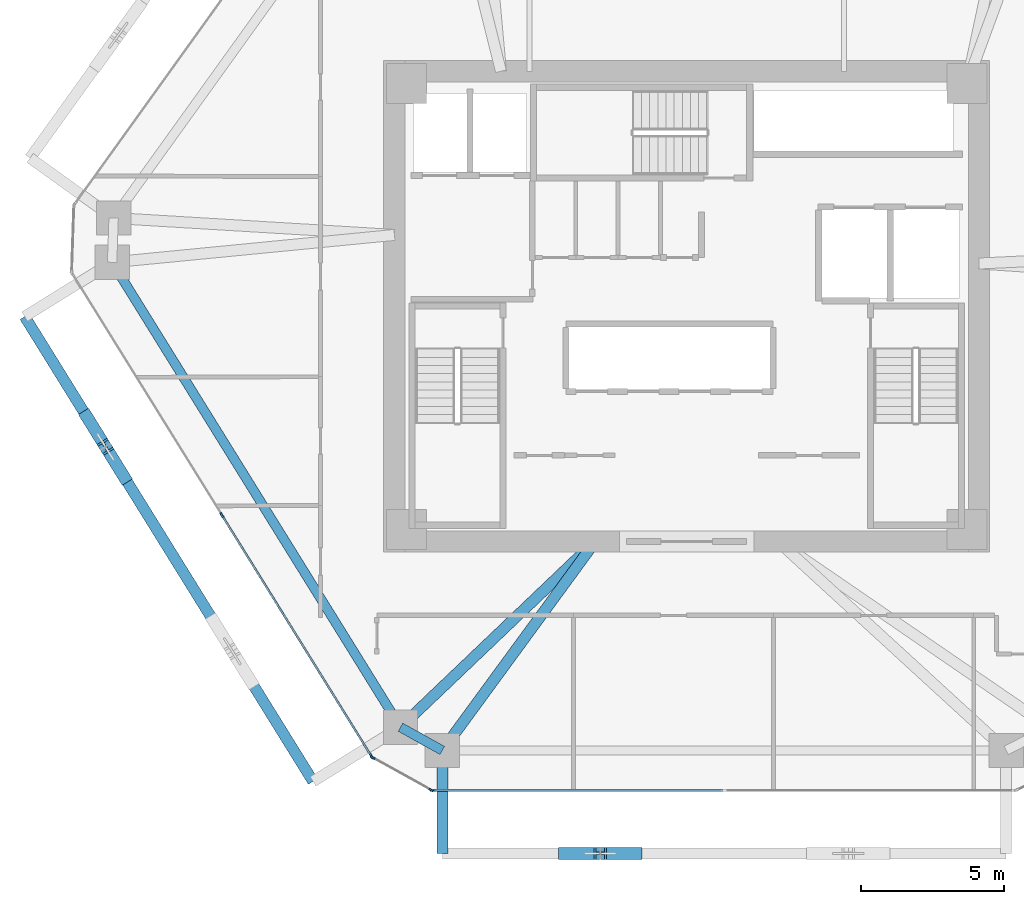
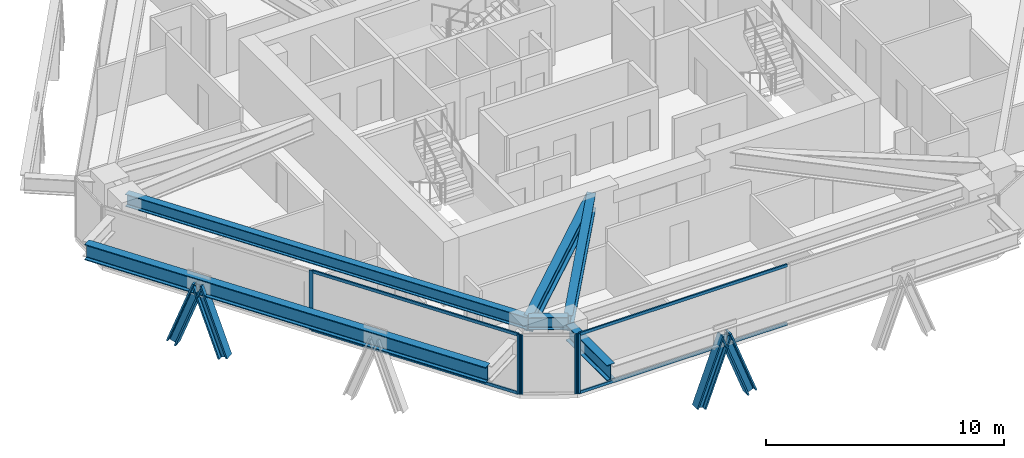
# One storey, part 2 of 16: 13 members, 6 beams, 3 elements without a shape of their own.
"""IFC4 building model written with IfcOpenShell, lengths in metres."""

import ifcopenshell
import ifcopenshell.guid

model = None  # the IFC model being written
_history = None  # IfcOwnerHistory: only IFC2X3 demands one
_inside = {}  # id of a spatial element -> (the spatial element, [elements in it])
_under = {}  # id of a project, library or spatial element -> (it, [spatial elements below it])
_declared = {}  # id of a project -> (the project, [libraries it declares])
_typed = {}  # id of a type object -> (the type object, [elements of that type])
_made_of = {}  # id of a material, layer set ... -> (it, [elements and type objects made of it])


def new_model(schema):
    """Start an empty IFC model of exactly this schema.

    Asked for "IFC4X3", IfcOpenShell would pick the latest addendum, in which some entities
    have other attributes; the version numbers below select the first issue.
    IFC2X3 requires an IfcOwnerHistory on every rooted entity: one is made here for all.
    """
    global model, _history
    if schema == "IFC4X3":
        model = ifcopenshell.file(schema_version=(4, 3, 0, 0))
    else:
        model = ifcopenshell.file(schema=schema)
    _inside.clear()
    _under.clear()
    _declared.clear()
    _typed.clear()
    _made_of.clear()
    _history = None
    if model.schema == "IFC2X3":
        org = make("IfcOrganization", Name="unknown")
        user = make(
            "IfcPersonAndOrganization",
            ThePerson=make("IfcPerson", FamilyName="unknown"),
            TheOrganization=org,
        )
        app = make(
            "IfcApplication",
            ApplicationDeveloper=org,
            Version="unknown",
            ApplicationFullName="unknown",
            ApplicationIdentifier="unknown",
        )
        _history = make(
            "IfcOwnerHistory",
            OwningUser=user,
            OwningApplication=app,
            ChangeAction="ADDED",
            CreationDate=0,
        )
    return model


def make(cls, **values):
    """One entity of the class cls with the attributes given. An attribute that is None is left unset."""
    return model.create_entity(
        cls, **{name: value for name, value in values.items() if value is not None}
    )


def rooted(cls, **values):
    """An entity with a GlobalId (a new one), such as an element, a storey or a relation."""
    return make(cls, GlobalId=ifcopenshell.guid.new(), OwnerHistory=_history, **values)


def si_unit(unit_type, name, prefix=None):
    """IfcSIUnit, for example si_unit("LENGTHUNIT", "METRE", prefix="MILLI")."""
    return make("IfcSIUnit", UnitType=unit_type, Prefix=prefix, Name=name)


def assignment(units):
    """IfcUnitAssignment: the units of a project."""
    return None if units is None else make("IfcUnitAssignment", Units=units)


def point(xyz):
    """IfcCartesianPoint."""
    return None if xyz is None else make("IfcCartesianPoint", Coordinates=xyz)


def direction(xyz):
    """IfcDirection."""
    return None if xyz is None else make("IfcDirection", DirectionRatios=xyz)


def frame(location, z_axis=None, x_axis=None):
    """IfcAxis2Placement3D, a coordinate frame: its origin and axes. An axis left out is left unset."""
    return make(
        "IfcAxis2Placement3D",
        Location=point(location),
        Axis=direction(z_axis),
        RefDirection=direction(x_axis),
    )


def frame_2d(location, x_axis=None):
    """IfcAxis2Placement2D, a coordinate frame in the plane: its origin and x axis."""
    return make(
        "IfcAxis2Placement2D", Location=point(location), RefDirection=direction(x_axis)
    )


def origin():
    """The frame at (0, 0, 0) with its axes left unset."""
    return frame((0.0, 0.0, 0.0))


def origin_2d():
    """The frame at (0, 0) in the plane with its x axis left unset."""
    return frame_2d((0.0, 0.0))


def place(relative_to, where):
    """IfcLocalPlacement: puts the frame where relative to a parent placement (None: the world)."""
    return make(
        "IfcLocalPlacement", PlacementRelTo=relative_to, RelativePlacement=where
    )


def context(
    kind, dimensions, precision=None, world=None, true_north=None, identifier=None
):
    """IfcGeometricRepresentationContext, for example the 3D "Model" context."""
    return make(
        "IfcGeometricRepresentationContext",
        ContextIdentifier=identifier,
        ContextType=kind,
        CoordinateSpaceDimension=dimensions,
        Precision=precision,
        WorldCoordinateSystem=world,
        TrueNorth=true_north,
    )


def subcontext(parent, identifier, kind, view, scale=None):
    """IfcGeometricRepresentationSubContext, for example "Body" below "Model"."""
    return make(
        "IfcGeometricRepresentationSubContext",
        ContextIdentifier=identifier,
        ContextType=kind,
        ParentContext=parent,
        TargetScale=scale,
        TargetView=view,
    )


def project(units=None, contexts=None):
    """IfcProject with its units and contexts."""
    return rooted(
        "IfcProject",
        Name="project",
        RepresentationContexts=contexts,
        UnitsInContext=assignment(units),
    )


def spatial(cls, under=None, at=None, **own):
    """A site, building, storey or space (cls), placed at a placement, below another one or the project."""
    s = rooted(cls, ObjectPlacement=at, **own)
    if under is not None:
        _under.setdefault(under.id(), (under, []))[1].append(s)
    return s


def profile(cls, at=None, kind="AREA", **sizes):
    """A parametric profile (cls). Its sizes go by their IFC names, for example OverallWidth=200.0."""
    return make(cls, ProfileType=kind, Position=at, **sizes)


def rectangle(**sizes):
    """IfcRectangleProfileDef."""
    return profile("IfcRectangleProfileDef", **sizes)


def i_section(**sizes):
    """IfcIShapeProfileDef."""
    return profile("IfcIShapeProfileDef", **sizes)


def extrude(swept, where, along, depth):
    """IfcExtrudedAreaSolid: the profile swept, set in the frame where, extruded along a direction by depth."""
    return make(
        "IfcExtrudedAreaSolid",
        SweptArea=swept,
        Position=where,
        ExtrudedDirection=direction(along),
        Depth=depth,
    )


def shape(context_of_items, identifier, shape_type, items):
    """IfcShapeRepresentation: the items that make up one representation, for example the "Body"."""
    return make(
        "IfcShapeRepresentation",
        ContextOfItems=context_of_items,
        RepresentationIdentifier=identifier,
        RepresentationType=shape_type,
        Items=items,
    )


def source(mapping_origin, context_of_items, identifier, shape_type, items):
    """IfcRepresentationMap: a shape defined once, which mapped items show again and again."""
    return make(
        "IfcRepresentationMap",
        MappingOrigin=mapping_origin,
        MappedRepresentation=shape(context_of_items, identifier, shape_type, items),
    )


def transform(
    local_origin,
    x_axis=None,
    y_axis=None,
    z_axis=None,
    scale=None,
    scale2=None,
    scale3=None,
    uniform=True,
):
    """IfcCartesianTransformationOperator3D, or its non-uniform kind. x_axis, y_axis, z_axis: its Axis1, 2, 3."""
    if uniform:
        return make(
            "IfcCartesianTransformationOperator3D",
            Axis1=direction(x_axis),
            Axis2=direction(y_axis),
            LocalOrigin=point(local_origin),
            Scale=scale,
            Axis3=direction(z_axis),
        )
    return make(
        "IfcCartesianTransformationOperator3DnonUniform",
        Axis1=direction(x_axis),
        Axis2=direction(y_axis),
        LocalOrigin=point(local_origin),
        Scale=scale,
        Axis3=direction(z_axis),
        Scale2=scale2,
        Scale3=scale3,
    )


def mapped(mapping_source, mapping_target):
    """IfcMappedItem: shows the shape of a source again, moved by a transform."""
    return make(
        "IfcMappedItem", MappingSource=mapping_source, MappingTarget=mapping_target
    )


def material(Name=None, Category=None):
    """IfcMaterial."""
    return make("IfcMaterial", Name=Name, Category=Category)


def layer(
    of_material, thickness, ventilated=None, Name=None, Category=None, Priority=None
):
    """IfcMaterialLayer: one layer of a wall or slab, of a material (None: an air gap)."""
    return make(
        "IfcMaterialLayer",
        Material=of_material,
        LayerThickness=thickness,
        IsVentilated=ventilated,
        Name=Name,
        Category=Category,
        Priority=Priority,
    )


def layer_set(layers, Name=None):
    """IfcMaterialLayerSet."""
    return make("IfcMaterialLayerSet", MaterialLayers=layers, LayerSetName=Name)


def material_profile(
    of_material, cross_section, Name=None, Category=None, Priority=None
):
    """IfcMaterialProfile: a cross section and its material."""
    return make(
        "IfcMaterialProfile",
        Name=Name,
        Material=of_material,
        Profile=cross_section,
        Priority=Priority,
        Category=Category,
    )


def profile_set(profiles, Name=None, composite=None):
    """IfcMaterialProfileSet."""
    return make(
        "IfcMaterialProfileSet",
        Name=Name,
        MaterialProfiles=profiles,
        CompositeProfile=composite,
    )


def made_of(thing, what):
    """Note that an element or type object is made of a material, layer set ...; save() writes the relation."""
    if what is not None:
        _made_of.setdefault(what.id(), (what, []))[1].append(thing)
    return thing


def type_object(cls, material=None, **own):
    """A type object (cls), such as IfcWallType, which elements share."""
    return made_of(rooted(cls, **own), material)


def type_shapes(of_type, sources):
    """Give a type object the sources (RepresentationMaps) that its elements show as mapped items."""
    of_type.RepresentationMaps = sources


def element(
    cls,
    number,
    at=None,
    inside=None,
    cuts=None,
    type_object=None,
    material=None,
    context=None,
    identifier="Body",
    shape_type=None,
    held_by="IfcProductDefinitionShape",
    body=None,
    shapes=None,
    **own,
):
    """One element of the class cls, such as IfcWall. Its Tag is "e" and its number.

    at: its placement. inside: the storey or other place that contains it. cuts: it is an
    opening in that element (IfcRelVoidsElement). A single representation is given by context,
    identifier, shape_type and body (its items); several are given by shapes. held_by: the class
    of the entity that holds the representations. save() writes the other relations.
    """
    e = rooted(cls, Tag="e%d" % number, ObjectPlacement=at, **own)
    if body is not None:
        shapes = [shape(context, identifier, shape_type, body)]
    if shapes is not None:
        e.Representation = make(held_by, Representations=shapes)
    if inside is not None:
        _inside.setdefault(inside.id(), (inside, []))[1].append(e)
    if cuts is not None:
        rooted(
            "IfcRelVoidsElement", RelatingBuildingElement=cuts, RelatedOpeningElement=e
        )
    if type_object is not None:
        _typed.setdefault(type_object.id(), (type_object, []))[1].append(e)
    return made_of(e, material)


def aggregate(whole, parts):
    """IfcRelAggregates: a whole, such as a stair, and the parts it consists of."""
    return rooted("IfcRelAggregates", RelatingObject=whole, RelatedObjects=parts)


def save(model, path):
    """Write the relations noted so far, then the file.

    IfcRelAggregates (storeys below a building ...), IfcRelContainedInSpatialStructure (elements
    in a storey), IfcRelDefinesByType, IfcRelAssociatesMaterial and IfcRelDeclares: one each for
    every whole, place, type object, material and project.
    """
    for whole, parts in _under.values():
        aggregate(whole, parts)
    for where, things in _inside.values():
        rooted(
            "IfcRelContainedInSpatialStructure",
            RelatedElements=things,
            RelatingStructure=where,
        )
    for kind, things in _typed.values():
        rooted("IfcRelDefinesByType", RelatedObjects=things, RelatingType=kind)
    for what, things in _made_of.values():
        rooted("IfcRelAssociatesMaterial", RelatedObjects=things, RelatingMaterial=what)
    for by, libraries in _declared.values():
        rooted("IfcRelDeclares", RelatingContext=by, RelatedDefinitions=libraries)
    model.write(path)


model = new_model("IFC4")

# Units and contexts
model_context = context("Model", 3, precision=1e-05, world=origin(), true_north=direction((0.0, 1.0)))
body_context = subcontext(model_context, "Body", "Model", "MODEL_VIEW")
ifc_project = project(units=[si_unit("LENGTHUNIT", "METRE"), si_unit("AREAUNIT", "SQUARE_METRE"), si_unit("VOLUMEUNIT", "CUBIC_METRE"), si_unit("PLANEANGLEUNIT", "RADIAN"), si_unit("MASSUNIT", "GRAM", prefix="KILO")], contexts=[model_context])

# Site, building, storey
site_placement = place(None, origin())
site = spatial("IfcSite", under=ifc_project, at=site_placement, CompositionType="ELEMENT")
building_placement = place(site_placement, origin())
building = spatial("IfcBuilding", under=site, at=building_placement, Name="Durnholm Broadcast Tower", CompositionType="ELEMENT")
storey_placement = place(building_placement, frame((0.0, 0.0, 110.699951171875)))
storey = spatial("IfcBuildingStorey", under=building, at=storey_placement, Name="L29", CompositionType="ELEMENT", Elevation=110.699951171875)

# Beams
ifc_material_1 = material(Name="Steel ASTM A992 Grade 50", Category="steel")
ifc_material_profile_1 = material_profile(ifc_material_1, i_section(OverallWidth=0.385009765625, OverallDepth=0.802978515625, WebThickness=0.023681640625, FlangeThickness=0.0419921875, FilletRadius=0.032958984375, at=origin_2d()), Name="W30X261")
ifc_profile_set_1 = profile_set([ifc_material_profile_1], Name="Steel ASTM A992 Grade 50")
beam_type_1 = type_object("IfcBeamType", Name="BM-EXO-TIE", PredefinedType="USERDEFINED", material=ifc_profile_set_1)
shared_shape_1 = source(origin(), body_context, "Body", "SweptSolid", [
    extrude(i_section(OverallWidth=0.385009765625, OverallDepth=0.802978515625, WebThickness=0.023681640625, FlangeThickness=0.0419921875, FilletRadius=0.032958984375, at=origin_2d()), origin(), (0.0, 0.0, 1.0), 3.4560546875),
])
beam_1_placement = place(storey_placement, frame((-8.552001953125, -15.680908203125, 2.30859375), z_axis=(0.0, -1.0, 0.0), x_axis=(1.0, 0.0, 0.0)))
element("IfcBeam", 1, at=beam_1_placement, inside=storey, type_object=beam_type_1, Name="L29 exoskeleton stand-off tie bracket F1.1", ObjectType="GIRDER", PredefinedType="USERDEFINED", context=body_context, shape_type="MappedRepresentation", body=[
    mapped(shared_shape_1, transform((0.0, 0.0, 0.0), x_axis=(1.0, 0.0, 0.0), y_axis=(0.0, 1.0, 0.0), z_axis=(0.0, 0.0, 1.0), scale=1.0)),
])
ifc_material_profile_2 = material_profile(ifc_material_1, i_section(OverallWidth=0.3291015625, OverallDepth=0.635009765625, WebThickness=0.017822265625, FlangeThickness=0.031005859375, FilletRadius=0.02783203125, at=origin_2d()), Name="W24X162")
ifc_profile_set_2 = profile_set([ifc_material_profile_2], Name="Steel ASTM A992 Grade 50")
beam_type_2 = type_object("IfcBeamType", Name="STL-SP-W24X162", PredefinedType="SPANDREL", material=ifc_profile_set_2)
shared_shape_2 = source(origin(), body_context, "Body", "SweptSolid", [
    extrude(i_section(OverallWidth=0.3291015625, OverallDepth=0.635009765625, WebThickness=0.017822265625, FlangeThickness=0.031005859375, FilletRadius=0.02783203125, at=origin_2d()), origin(), (0.0, 0.0, 1.0), 19.1396484375),
])
beam_2_placement = place(storey_placement, frame((-10.01416015625, -14.723388671875, 2.7275390625), z_axis=(-0.527105324954, 0.849799962582, 0.0), x_axis=(-0.849799962582, -0.527105324954, 0.0)))
element("IfcBeam", 2, at=beam_2_placement, inside=storey, type_object=beam_type_2, Name="L29 perimeter spandrel girder 01", PredefinedType="SPANDREL", context=body_context, shape_type="MappedRepresentation", body=[
    mapped(shared_shape_2, transform((0.0, 0.0, 0.0), x_axis=(1.0, 0.0, 0.0), y_axis=(0.0, 1.0, 0.0), z_axis=(0.0, 0.0, 1.0), scale=1.0)),
])
shared_shape_3 = source(origin(), body_context, "Body", "SweptSolid", [
    extrude(i_section(OverallWidth=0.3291015625, OverallDepth=0.635009765625, WebThickness=0.017822265625, FlangeThickness=0.031005859375, FilletRadius=0.02783203125, at=origin_2d()), origin(), (0.0, 0.0, 1.0), 1.67333984375),
])
type_shapes(beam_type_2, [shared_shape_2, shared_shape_3])
beam_3_placement = place(storey_placement, frame((-8.552001953125, -15.537109375, 2.7275390625), z_axis=(-0.873799169188, 0.486286964586, 0.0), x_axis=(-0.486286964586, -0.873799169188, 0.0)))
element("IfcBeam", 3, at=beam_3_placement, inside=storey, type_object=beam_type_2, Name="L29 perimeter spandrel girder 12", PredefinedType="SPANDREL", context=body_context, shape_type="MappedRepresentation", body=[
    mapped(shared_shape_3, transform((0.0, 0.0, 0.0), x_axis=(1.0, 0.0, 0.0), y_axis=(0.0, 1.0, 0.0), z_axis=(0.0, 0.0, 1.0), scale=1.0)),
])
ifc_material_profile_3 = material_profile(ifc_material_1, i_section(OverallWidth=0.385009765625, OverallDepth=0.802978515625, WebThickness=0.023681640625, FlangeThickness=0.0419921875, FilletRadius=0.032958984375, at=origin_2d()), Name="W30X261")
ifc_profile_set_3 = profile_set([ifc_material_profile_3], Name="Steel ASTM A992 Grade 50")
beam_type_3 = type_object("IfcBeamType", Name="STL-GR-W30X261", PredefinedType="USERDEFINED", material=ifc_profile_set_3)
shared_shape_4 = source(origin(), body_context, "Body", "SweptSolid", [
    extrude(i_section(OverallWidth=0.385009765625, OverallDepth=0.802978515625, WebThickness=0.023681640625, FlangeThickness=0.0419921875, FilletRadius=0.032958984375, at=origin_2d()), origin(), (0.0, 0.0, 1.0), 9.416015625),
])
beam_4_placement = place(storey_placement, frame((-3.199951171875, -8.22509765625, 2.6435546875), z_axis=(-0.723683335801, -0.690132182617, 0.0), x_axis=(0.690132182617, -0.723683335801, 0.0)))
element("IfcBeam", 4, at=beam_4_placement, inside=storey, type_object=beam_type_3, Name="L29 radial primary floor girder 01", ObjectType="GIRDER", PredefinedType="USERDEFINED", context=body_context, shape_type="MappedRepresentation", body=[
    mapped(shared_shape_4, transform((0.0, 0.0, 0.0), x_axis=(1.0, 0.0, 0.0), y_axis=(0.0, 1.0, 0.0), z_axis=(0.0, 0.0, 1.0), scale=1.0)),
])
shared_shape_5 = source(origin(), body_context, "Body", "SweptSolid", [
    extrude(i_section(OverallWidth=0.385009765625, OverallDepth=0.802978515625, WebThickness=0.023681640625, FlangeThickness=0.0419921875, FilletRadius=0.032958984375, at=origin_2d()), origin(), (0.0, 0.0, 1.0), 9.0615234375),
])
type_shapes(beam_type_3, [shared_shape_4, shared_shape_5])
beam_5_placement = place(storey_placement, frame((-3.199951171875, -8.22509765625, 2.6435546875), z_axis=(-0.590639241086, -0.806935739008, 0.0), x_axis=(0.806935739008, -0.590639241086, 0.0)))
element("IfcBeam", 5, at=beam_5_placement, inside=storey, type_object=beam_type_3, Name="L29 radial primary floor girder 12", ObjectType="GIRDER", PredefinedType="USERDEFINED", context=body_context, shape_type="MappedRepresentation", body=[
    mapped(shared_shape_5, transform((0.0, 0.0, 0.0), x_axis=(1.0, 0.0, 0.0), y_axis=(0.0, 1.0, 0.0), z_axis=(0.0, 0.0, 1.0), scale=1.0)),
])
shared_shape_6 = source(origin(), body_context, "Body", "SweptSolid", [
    extrude(i_section(OverallWidth=0.385009765625, OverallDepth=0.802978515625, WebThickness=0.023681640625, FlangeThickness=0.0419921875, FilletRadius=0.032958984375, at=origin_2d()), origin(), (0.0, 0.0, 1.0), 19.139404296875),
])
type_shapes(beam_type_1, [shared_shape_1, shared_shape_6])
beam_6_placement = place(storey_placement, frame((-23.162109375, -0.356201171875, 2.30859375), z_axis=(0.527111038734, -0.84979641847, 0.0), x_axis=(0.84979641847, 0.527111038734, 0.0)))
element("IfcBeam", 6, at=beam_6_placement, inside=storey, type_object=beam_type_1, Name="L29 exoskeleton collector spandrel F6", PredefinedType="SPANDREL", context=body_context, shape_type="MappedRepresentation", body=[
    mapped(shared_shape_6, transform((0.0, 0.0, 0.0), x_axis=(1.0, 0.0, 0.0), y_axis=(0.0, 1.0, 0.0), z_axis=(0.0, 0.0, 1.0), scale=1.0)),
])

# Members
ifc_material_2 = material(Name="Steel ASTM A913 Grade 65", Category="steel")
ifc_material_profile_4 = material_profile(ifc_material_2, i_section(OverallWidth=0.424072265625, OverallDepth=0.47412109375, WebThickness=0.047607421875, FlangeThickness=0.0771484375, FilletRadius=0.030517578125, at=origin_2d()), Name="W14X426")
ifc_profile_set_4 = profile_set([ifc_material_profile_4], Name="Steel ASTM A913 Grade 65")
member_type_1 = type_object("IfcMemberType", Name="STL-DG-W14X426", PredefinedType="BRACE", material=ifc_profile_set_4)
shared_shape_7 = source(origin(), body_context, "Body", "SweptSolid", [
    extrude(i_section(OverallWidth=0.424072265625, OverallDepth=0.47412109375, WebThickness=0.047607421875, FlangeThickness=0.0771484375, FilletRadius=0.030517578125, at=origin_2d()), origin(), (0.0, 0.0, 1.0), 3.523193359375),
])
type_shapes(member_type_1, [shared_shape_7])
for number, where, z_axis, x_axis, name in (
    (7, (-4.261962890625, -19.136962890625, -0.991455078125), (0.350219588454, 0.0, 0.936667625075), (0.0, 1.0, 0.0), "L29 stand-off diagrid brace F1.D1.1"),
    (8, (-1.794189453125, -19.136962890625, -0.991455078125), (-0.350219588454, 0.0, 0.936667625075), (0.0, -1.0, 0.0), "L29 stand-off diagrid brace F1.D1.2"),
    (9, (-20.987548828125, -3.86181640625, -0.991455078125), (0.184602835855, -0.297623566065, 0.936665364961), (0.849805205368, 0.527096872433, 0.0), "L29 stand-off diagrid brace F6.D1.1"),
    (10, (-19.686767578125, -5.958740234375, -0.991455078125), (-0.184606642766, 0.297560406921, 0.936684681032), (-0.849750220063, -0.527185511469, 0.0), "L29 stand-off diagrid brace F6.D1.2"),
):
    element("IfcMember", number, at=place(storey_placement, frame(where, z_axis=z_axis, x_axis=x_axis)), inside=storey, type_object=member_type_1, Name=name, PredefinedType="BRACE", context=body_context, shape_type="MappedRepresentation", body=[
        mapped(shared_shape_7, transform((0.0, 0.0, 0.0), x_axis=(1.0, 0.0, 0.0), y_axis=(0.0, 1.0, 0.0), z_axis=(0.0, 0.0, 1.0), scale=1.0)),
    ])

# Curtain wall, members
ifc_material_3 = material(Name="Aluminium and Solar Control IGU", Category="aluminium")
ifc_layer_1 = layer(ifc_material_3, 0.1650390625)
ifc_layer_set_1 = layer_set([ifc_layer_1], Name="Aluminium and Solar Control IGU")
curtain_wall_type_1 = type_object("IfcCurtainWallType", Name="CW-SYS-5", PredefinedType="NOTDEFINED", material=ifc_layer_set_1)
curtain_wall_1_placement = place(storey_placement, origin())
curtain_wall_1 = element("IfcCurtainWall", 11, at=curtain_wall_1_placement, inside=storey, type_object=curtain_wall_type_1, Name="L29 curtain wall CW-CORNER CW-L29-CRN-11", PredefinedType="NOTDEFINED")
ifc_material_4 = material(Name="Aluminium 6063-T6", Category="aluminium")
ifc_material_profile_5 = material_profile(ifc_material_4, rectangle(XDim=0.06494140625, YDim=0.1650390625, at=origin_2d()), Name="CWM65X165")
ifc_profile_set_5 = profile_set([ifc_material_profile_5], Name="Aluminium 6063-T6")
member_type_2 = type_object("IfcMemberType", Name="CW-SYS-5-MUL", PredefinedType="MULLION", material=ifc_profile_set_5)
shared_shape_8 = source(origin(), body_context, "Body", "SweptSolid", [
    extrude(rectangle(XDim=0.06494140625, YDim=0.1650390625, at=origin_2d()), origin(), (0.0, 0.0, 1.0), 3.06005859375),
])
type_shapes(member_type_2, [shared_shape_8])
member_1_placement = place(storey_placement, frame((-8.943603515625, -16.921142578125, 0.0), z_axis=(0.0, 0.0, 1.0), x_axis=(-0.486244224192, -0.873822953715, 0.0)))
member_1 = element("IfcMember", 12, at=member_1_placement, type_object=member_type_2, Name="CW-CORNER mullion 1", PredefinedType="MULLION", context=body_context, shape_type="MappedRepresentation", body=[
    mapped(shared_shape_8, transform((0.0, 0.0, 0.0), x_axis=(1.0, 0.0, 0.0), y_axis=(0.0, 1.0, 0.0), z_axis=(0.0, 0.0, 1.0), scale=1.0)),
])
member_2_placement = place(storey_placement, frame((-10.98388671875, -15.785888671875, 0.0), z_axis=(0.0, 0.0, 1.0), x_axis=(-0.486244224192, -0.873822953715, 0.0)))
member_2 = element("IfcMember", 13, at=member_2_placement, type_object=member_type_2, Name="CW-CORNER mullion 2", PredefinedType="MULLION", context=body_context, shape_type="MappedRepresentation", body=[
    mapped(shared_shape_8, transform((0.0, 0.0, 0.0), x_axis=(1.0, 0.0, 0.0), y_axis=(0.0, 1.0, 0.0), z_axis=(0.0, 0.0, 1.0), scale=1.0)),
])
aggregate(curtain_wall_1, [member_1, member_2])

# Curtain wall, member
ifc_layer_2 = layer(ifc_material_3, 0.18994140625)
ifc_layer_set_2 = layer_set([ifc_layer_2], Name="Aluminium and Solar Control IGU")
curtain_wall_type_2 = type_object("IfcCurtainWallType", Name="CW-SYS-3", PredefinedType="NOTDEFINED", material=ifc_layer_set_2)
curtain_wall_2_placement = place(storey_placement, origin())
curtain_wall_2 = element("IfcCurtainWall", 14, at=curtain_wall_2_placement, inside=storey, type_object=curtain_wall_type_2, Name="L29 curtain wall CW-Z12-VIS CW-L29-F10", PredefinedType="NOTDEFINED")
ifc_material_profile_6 = material_profile(ifc_material_4, rectangle(XDim=0.070068359375, YDim=0.18994140625, at=origin_2d()), Name="CWM70X190")
ifc_profile_set_6 = profile_set([ifc_material_profile_6], Name="Aluminium 6063-T6")
member_type_3 = type_object("IfcMemberType", Name="CW-SYS-3-MUL", PredefinedType="MULLION", material=ifc_profile_set_6)
shared_shape_9 = source(origin(), body_context, "Body", "SweptSolid", [
    extrude(rectangle(XDim=0.070068359375, YDim=0.18994140625, at=origin_2d()), origin(), (0.0, 0.0, 1.0), 3.06005859375),
])
type_shapes(member_type_3, [shared_shape_9])
member_3_placement = place(storey_placement, frame((-8.880126953125, -16.93701171875, 0.0), z_axis=(0.0, 0.0, 1.0), x_axis=(0.0, -1.0, 0.0)))
member_3 = element("IfcMember", 15, at=member_3_placement, type_object=member_type_3, Name="CW-Z12-VIS mullion 3", PredefinedType="MULLION", context=body_context, shape_type="MappedRepresentation", body=[
    mapped(shared_shape_9, transform((0.0, 0.0, 0.0), x_axis=(1.0, 0.0, 0.0), y_axis=(0.0, 1.0, 0.0), z_axis=(0.0, 0.0, 1.0), scale=1.0)),
])

# Curtain wall, members
curtain_wall_3_placement = place(storey_placement, origin())
curtain_wall_3 = element("IfcCurtainWall", 16, at=curtain_wall_3_placement, inside=storey, type_object=curtain_wall_type_2, Name="L29 curtain wall CW-Z12-VIS CW-L29-F12", PredefinedType="NOTDEFINED")
member_4_placement = place(storey_placement, frame((-11.03076171875, -15.740234375, 0.0), z_axis=(0.0, 0.0, 1.0), x_axis=(-0.849799925229, -0.527105385176, 0.0)))
member_4 = element("IfcMember", 17, at=member_4_placement, type_object=member_type_3, Name="CW-Z12-VIS mullion 1", PredefinedType="MULLION", context=body_context, shape_type="MappedRepresentation", body=[
    mapped(shared_shape_9, transform((0.0, 0.0, 0.0), x_axis=(1.0, 0.0, 0.0), y_axis=(0.0, 1.0, 0.0), z_axis=(0.0, 0.0, 1.0), scale=1.0)),
])
member_5_placement = place(storey_placement, frame((-16.264404296875, -7.302734375, 0.0), z_axis=(0.0, 0.0, 1.0), x_axis=(-0.849799925229, -0.527105385176, 0.0)))
member_5 = element("IfcMember", 18, at=member_5_placement, type_object=member_type_3, Name="CW-Z12-VIS mullion 2", PredefinedType="MULLION", context=body_context, shape_type="MappedRepresentation", body=[
    mapped(shared_shape_9, transform((0.0, 0.0, 0.0), x_axis=(1.0, 0.0, 0.0), y_axis=(0.0, 1.0, 0.0), z_axis=(0.0, 0.0, 1.0), scale=1.0)),
])

# Member
ifc_material_profile_7 = material_profile(ifc_material_4, rectangle(XDim=0.070068359375, YDim=0.14990234375, at=origin_2d()), Name="CWT70X150")
ifc_profile_set_7 = profile_set([ifc_material_profile_7], Name="Aluminium 6063-T6")
member_type_4 = type_object("IfcMemberType", Name="CW-SYS-3-TRN", PredefinedType="USERDEFINED", material=ifc_profile_set_7)
shared_shape_10 = source(origin(), body_context, "Body", "SweptSolid", [
    extrude(rectangle(XDim=0.070068359375, YDim=0.14990234375, at=origin_2d()), origin(), (0.0, 0.0, 1.0), 10.109619140625),
])
member_6_placement = place(storey_placement, frame((1.264404296875, -16.93701171875, 0.03515625), z_axis=(-1.0, 0.0, 0.0), x_axis=(0.0, -1.0, 0.0)))
member_6 = element("IfcMember", 19, at=member_6_placement, type_object=member_type_4, Name="CW-Z12-VIS transom 2.1", ObjectType="TRANSOM", PredefinedType="USERDEFINED", context=body_context, shape_type="MappedRepresentation", body=[
    mapped(shared_shape_10, transform((0.0, 0.0, 0.0), x_axis=(1.0, 0.0, 0.0), y_axis=(0.0, 1.0, 0.0), z_axis=(0.0, 0.0, 1.0), scale=1.0)),
])

member_7_placement = place(storey_placement, frame((1.264404296875, -16.93701171875, 3.025146484375), z_axis=(-1.0, 0.0, 0.0), x_axis=(0.0, -1.0, 0.0)))
member_7 = element("IfcMember", 20, at=member_7_placement, type_object=member_type_4, Name="CW-Z12-VIS transom 2.2", ObjectType="TRANSOM", PredefinedType="USERDEFINED", context=body_context, shape_type="MappedRepresentation", body=[
    mapped(shared_shape_10, transform((0.0, 0.0, 0.0), x_axis=(1.0, 0.0, 0.0), y_axis=(0.0, 1.0, 0.0), z_axis=(0.0, 0.0, 1.0), scale=1.0)),
])

aggregate(curtain_wall_2, [member_3, member_6, member_7])

shared_shape_11 = source(origin(), body_context, "Body", "SweptSolid", [
    extrude(rectangle(XDim=0.070068359375, YDim=0.14990234375, at=origin_2d()), origin(), (0.0, 0.0, 1.0), 9.858642578125),
])
type_shapes(member_type_4, [shared_shape_10, shared_shape_11])
member_8_placement = place(storey_placement, frame((-11.04931640625, -15.71044921875, 0.03515625), z_axis=(-0.527102081419, 0.849801974441, 0.0), x_axis=(-0.849801974441, -0.527102081419, 0.0)))
member_8 = element("IfcMember", 21, at=member_8_placement, type_object=member_type_4, Name="CW-Z12-VIS transom 1.1", ObjectType="TRANSOM", PredefinedType="USERDEFINED", context=body_context, shape_type="MappedRepresentation", body=[
    mapped(shared_shape_11, transform((0.0, 0.0, 0.0), x_axis=(1.0, 0.0, 0.0), y_axis=(0.0, 1.0, 0.0), z_axis=(0.0, 0.0, 1.0), scale=1.0)),
])

member_9_placement = place(storey_placement, frame((-11.04931640625, -15.71044921875, 3.025146484375), z_axis=(-0.527102081419, 0.849801974441, 0.0), x_axis=(-0.849801974441, -0.527102081419, 0.0)))
member_9 = element("IfcMember", 22, at=member_9_placement, type_object=member_type_4, Name="CW-Z12-VIS transom 1.2", ObjectType="TRANSOM", PredefinedType="USERDEFINED", context=body_context, shape_type="MappedRepresentation", body=[
    mapped(shared_shape_11, transform((0.0, 0.0, 0.0), x_axis=(1.0, 0.0, 0.0), y_axis=(0.0, 1.0, 0.0), z_axis=(0.0, 0.0, 1.0), scale=1.0)),
])

aggregate(curtain_wall_3, [member_4, member_5, member_8, member_9])

save(model, "model.ifc")
